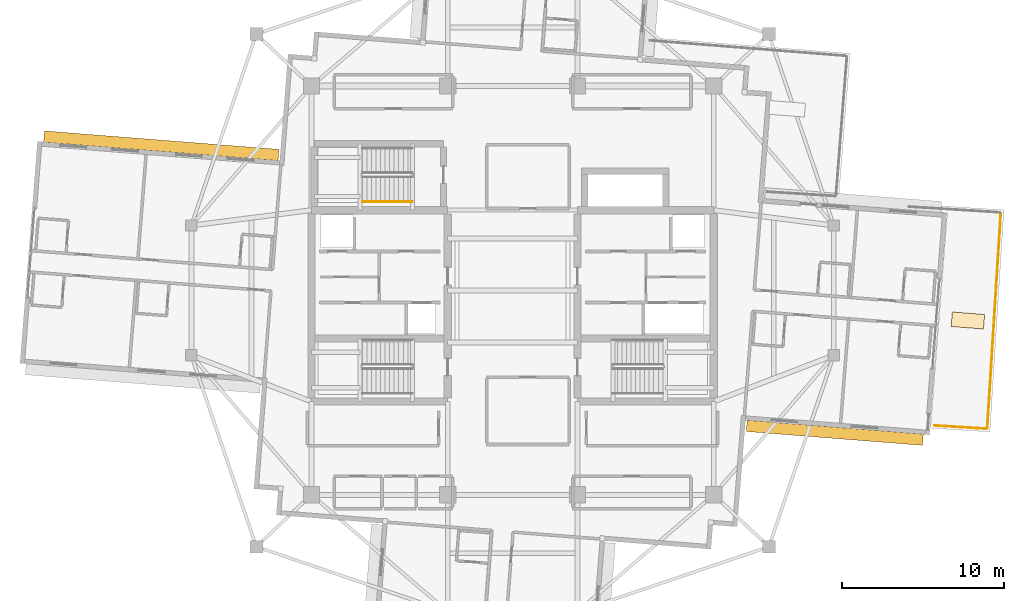
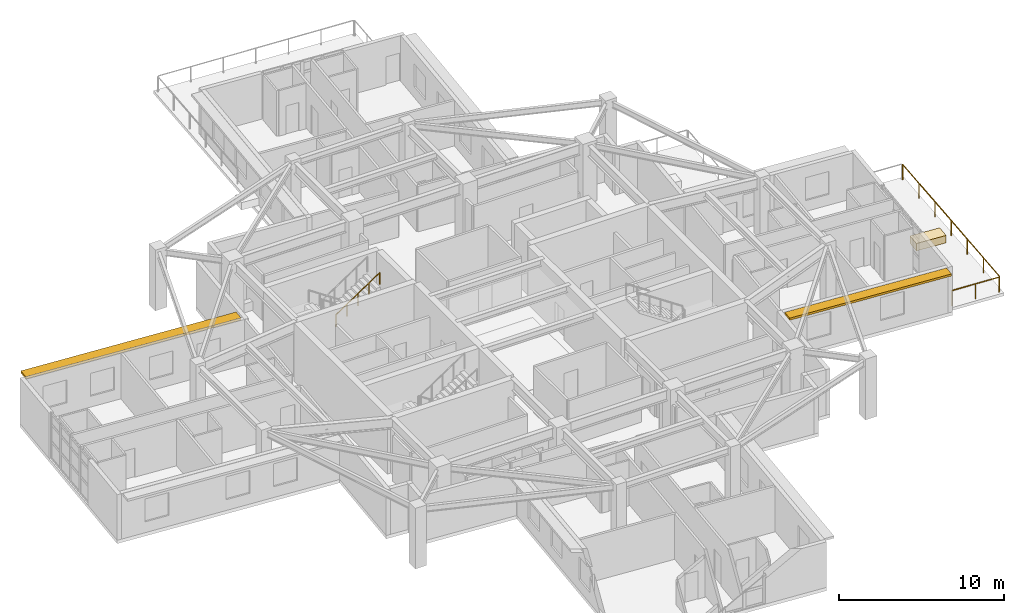
# One storey, part 21 of 23: 3 railings, 2 shading devices, 1 covering.
"""IFC4 building model written with IfcOpenShell, lengths in metres."""

from ifc_helpers import new_model, si_unit, direction, frame, origin, origin_2d, place, context, subcontext, project, spatial, rectangle, circle, extrude, material, layer, layer_set, type_object, element, save


model = new_model("IFC4")

# Units and contexts
model_context = context("Model", 3, precision=1e-05, world=origin(), true_north=direction((0.0, 1.0)))
body_context = subcontext(model_context, "Body", "Model", "MODEL_VIEW")
ifc_project = project(units=[si_unit("LENGTHUNIT", "METRE"), si_unit("AREAUNIT", "SQUARE_METRE"), si_unit("VOLUMEUNIT", "CUBIC_METRE"), si_unit("PLANEANGLEUNIT", "RADIAN"), si_unit("MASSUNIT", "GRAM", prefix="KILO")], contexts=[model_context])

# Site, building, storey
site_placement = place(None, origin())
site = spatial("IfcSite", under=ifc_project, at=site_placement, CompositionType="ELEMENT")
building_placement = place(site_placement, origin())
building = spatial("IfcBuilding", under=site, at=building_placement, Name="Qingluan Cross Belvedere", CompositionType="ELEMENT")
storey_placement = place(building_placement, frame((0.0, 0.0, 245.39990234375)))
storey = spatial("IfcBuildingStorey", under=building, at=storey_placement, Name="L61", CompositionType="ELEMENT", Elevation=245.39990234375)

# Shading devices
ifc_material_1 = material(Name="Precast concrete C45", Category="concrete")
ifc_layer_1 = layer(ifc_material_1, 0.139892578125, Name="ConcreteSunshadeBand_700")
ifc_layer_set_1 = layer_set([ifc_layer_1], Name="Precast concrete C45")
shading_device_type = type_object("IfcShadingDeviceType", Name="ConcreteSunshadeBand_700", PredefinedType="USERDEFINED", material=ifc_layer_set_1)
shading_device_1_placement = place(storey_placement, frame((19.86279296875, -8.775390625, 3.2001953125), z_axis=(0.0, 0.0, 1.0), x_axis=(0.996917315041, -0.078459333231, 0.0)))
element("IfcShadingDevice", 1, at=shading_device_1_placement, inside=storey, type_object=shading_device_type, Name="Concrete SUNSHADE L61-EA", ObjectType="SUNSHADE", PredefinedType="USERDEFINED", context=body_context, shape_type="SweptSolid", body=[
    extrude(rectangle(XDim=10.89990234375, YDim=0.699951171875, at=origin_2d()), origin(), (0.0, 0.0, 1.0), 0.159912109375),
])
shading_device_2_placement = place(storey_placement, frame((-21.6572265625, 8.916748046875, 3.2001953125), z_axis=(0.0, 0.0, 1.0), x_axis=(-0.996917599256, 0.078455721862, 0.0)))
element("IfcShadingDevice", 2, at=shading_device_2_placement, inside=storey, type_object=shading_device_type, Name="Concrete SUNSHADE L61-WA", ObjectType="SUNSHADE", PredefinedType="USERDEFINED", context=body_context, shape_type="SweptSolid", body=[
    extrude(rectangle(XDim=14.5, YDim=0.699951171875, at=origin_2d()), origin(), (0.0, 0.0, 1.0), 0.159912109375),
])

# Railings
ifc_material_2 = material(Name="Brushed stainless steel tubular handrail", Category="steel")
railing_type_1 = type_object("IfcRailingType", Name="StairPitchHandrail_900", PredefinedType="HANDRAIL", material=ifc_material_2)
railing_1_placement = place(storey_placement, frame((-9.260009765625, 5.469970703125, 2.4375)))
element("IfcRailing", 3, at=railing_1_placement, inside=storey, type_object=railing_type_1, Name="L61 ST3 stair handrail 2", PredefinedType="HANDRAIL", context=body_context, shape_type="SweptSolid", body=[
    extrude(circle(Radius=0.02392578125, at=origin_2d()), frame((0.0, 0.0, 0.8759765625), z_axis=(0.830913701846, 0.0, 0.55640131208), x_axis=(0.0, 1.0, 0.0)), (0.0, 0.0, 1.0), 3.706787109375),
    extrude(circle(Radius=0.02099609375, at=origin_2d()), origin(), (0.0, 0.0, 1.0), 0.851806640625),
    extrude(circle(Radius=0.02099609375, at=origin_2d()), frame((0.77001953125, 0.0, 0.515625)), (0.0, 0.0, 1.0), 0.851806640625),
    extrude(circle(Radius=0.02099609375, at=origin_2d()), frame((1.5400390625, 0.0, 1.03125)), (0.0, 0.0, 1.0), 0.851806640625),
    extrude(circle(Radius=0.02099609375, at=origin_2d()), frame((2.31005859375, 0.0, 1.546875)), (0.0, 0.0, 1.0), 0.851806640625),
    extrude(circle(Radius=0.02099609375, at=origin_2d()), frame((3.080078125, 0.0, 2.0625)), (0.0, 0.0, 1.0), 0.851806640625),
])
ifc_material_3 = material(Name="Laminated glass and stainless steel balustrade", Category="steel")
railing_type_2 = type_object("IfcRailingType", Name="TerraceGuardBalustrade_1150", PredefinedType="BALUSTRADE", material=ifc_material_3)
railing_2_placement = place(storey_placement, frame((30.096923828125, 4.739501953125, 0.0)))
element("IfcRailing", 4, at=railing_2_placement, inside=storey, type_object=railing_type_2, Name="Terrace guard L61-2", PredefinedType="BALUSTRADE", context=body_context, shape_type="SweptSolid", body=[
    extrude(circle(Radius=0.02392578125, at=origin_2d()), frame((0.0, 0.0, 1.1259765625), z_axis=(-0.062786966437, -0.998026951964, 0.0), x_axis=(0.998026951964, -0.062786966437, 0.0)), (0.0, 0.0, 1.0), 13.239990234375),
    extrude(circle(Radius=0.02099609375, at=origin_2d()), origin(), (0.0, 0.0, 1.0), 1.101806640625),
    extrude(circle(Radius=0.02099609375, at=origin_2d()), frame((-0.138671875, -2.202392578125, 0.0)), (0.0, 0.0, 1.0), 1.101806640625),
    extrude(circle(Radius=0.02099609375, at=origin_2d()), frame((-0.277099609375, -4.404541015625, 0.0)), (0.0, 0.0, 1.0), 1.101806640625),
    extrude(circle(Radius=0.02099609375, at=origin_2d()), frame((-0.41552734375, -6.60693359375, 0.0)), (0.0, 0.0, 1.0), 1.101806640625),
    extrude(circle(Radius=0.02099609375, at=origin_2d()), frame((-0.55419921875, -8.809326171875, 0.0)), (0.0, 0.0, 1.0), 1.101806640625),
    extrude(circle(Radius=0.02099609375, at=origin_2d()), frame((-0.69287109375, -11.011474609375, 0.0)), (0.0, 0.0, 1.0), 1.101806640625),
    extrude(circle(Radius=0.02099609375, at=origin_2d()), frame((-0.831298828125, -13.2138671875, 0.0)), (0.0, 0.0, 1.0), 1.101806640625),
])
railing_3_placement = place(storey_placement, frame((29.201904296875, -8.530517578125, 0.0)))
element("IfcRailing", 5, at=railing_3_placement, inside=storey, type_object=railing_type_2, Name="Terrace guard L61-3", PredefinedType="BALUSTRADE", context=body_context, shape_type="SweptSolid", body=[
    extrude(circle(Radius=0.02392578125, at=origin_2d()), frame((0.0, 0.0, 1.1259765625), z_axis=(-0.99802399011, 0.062834028717, 0.0), x_axis=(-0.062834028717, -0.99802399011, 0.0)), (0.0, 0.0, 1.0), 3.20166015625),
    extrude(circle(Radius=0.02099609375, at=origin_2d()), origin(), (0.0, 0.0, 1.0), 1.101806640625),
    extrude(circle(Radius=0.02099609375, at=origin_2d()), frame((-1.59765625, 0.1005859375, 0.0)), (0.0, 0.0, 1.0), 1.101806640625),
    extrude(circle(Radius=0.02099609375, at=origin_2d()), frame((-3.1953125, 0.201171875, 0.0)), (0.0, 0.0, 1.0), 1.101806640625),
])

# Covering
ifc_material_4 = material(Name="Precast concrete C40", Category="concrete")
ifc_layer_2 = layer(ifc_material_4, 0.550048828125, Name="TerracePlanterBox")
ifc_layer_set_2 = layer_set([ifc_layer_2], Name="Precast concrete C40")
covering_type = type_object("IfcCoveringType", Name="TerracePlanterBox", PredefinedType="USERDEFINED", material=ifc_layer_set_2)
covering_placement = place(storey_placement, frame((28.06689453125, -1.85302734375, 0.0), z_axis=(0.0, 0.0, 1.0), x_axis=(0.996917333733, -0.078459095728, 0.0)))
element("IfcCovering", 6, at=covering_placement, inside=storey, type_object=covering_type, Name="Terrace garden planter L61-1", ObjectType="PLANTER", PredefinedType="USERDEFINED", context=body_context, shape_type="SweptSolid", body=[
    extrude(rectangle(XDim=2.0, YDim=0.89990234375, at=origin_2d()), origin(), (0.0, 0.0, 1.0), 0.550048828125),
])

save(model, "model.ifc")
